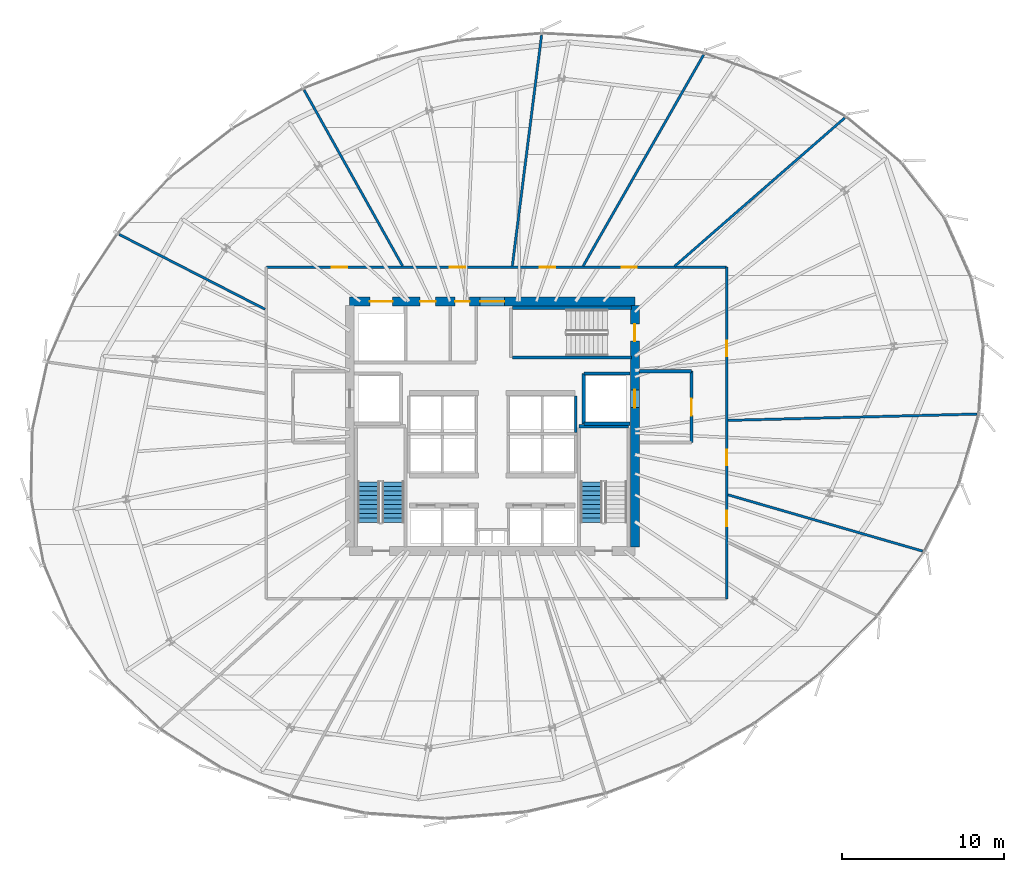
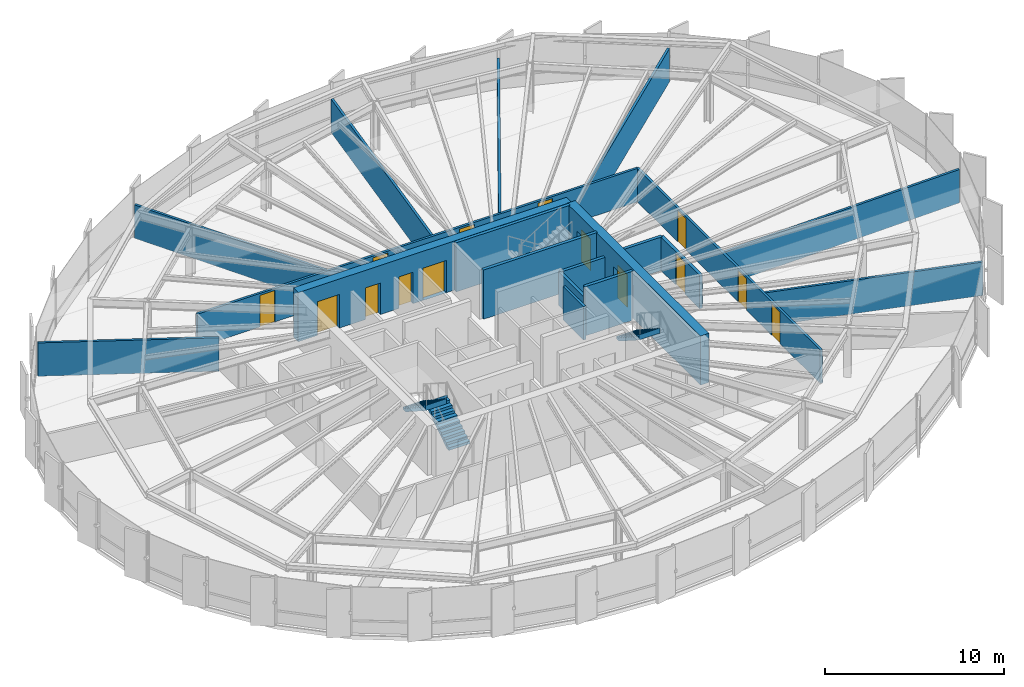
# One storey, part 30 of 35: 20 walls, 14 doors, 3 stair flights, 14 openings, 2 elements without a shape of their own.
"""IFC4 building model written with IfcOpenShell, lengths in metres."""

from ifc_helpers import new_model, si_unit, direction, frame, frame_2d, origin, place, context, subcontext, project, spatial, polyline, rectangle, outline, extrude, source, transform, mapped, material, layer, layer_set, type_object, element, fill, aggregate, save


model = new_model("IFC4")

# Units and contexts
model_context = context("Model", 3, precision=1e-05, world=origin(), true_north=direction((0.0, 1.0)))
body_context = subcontext(model_context, "Body", "Model", "MODEL_VIEW")
ifc_project = project(units=[si_unit("LENGTHUNIT", "METRE"), si_unit("AREAUNIT", "SQUARE_METRE"), si_unit("VOLUMEUNIT", "CUBIC_METRE"), si_unit("PLANEANGLEUNIT", "RADIAN"), si_unit("MASSUNIT", "GRAM", prefix="KILO"), si_unit("THERMODYNAMICTEMPERATUREUNIT", "KELVIN")], contexts=[model_context])

# Site, building, storey
site_placement = place(None, origin())
site = spatial("IfcSite", under=ifc_project, at=site_placement, CompositionType="ELEMENT")
building_placement = place(site_placement, origin())
building = spatial("IfcBuilding", under=site, at=building_placement, Name="Kethvar Cultural Tower", CompositionType="ELEMENT")
storey_placement = place(building_placement, frame((0.0, 0.0, 103.60009765625)))
storey = spatial("IfcBuildingStorey", under=building, at=storey_placement, Name="L25", CompositionType="ELEMENT", Elevation=103.60009765625)

# Wall, openings, doors
ifc_material_1 = material(Name="Concrete C60/75", Category="concrete")
ifc_layer_1 = layer(ifc_material_1, 0.550048828125, Name="Concrete C60/75", Category="concrete")
ifc_layer_set_1 = layer_set([ifc_layer_1], Name="Concrete C60/75 (550 mm)")
wall_type_1 = type_object("IfcWallType", Name="WL-CORE-550", PredefinedType="SHEAR", material=ifc_layer_set_1)
wall_1_placement = place(storey_placement, frame((55.60009765625, 35.5, 0.0), z_axis=(0.0, 0.0, 1.0), x_axis=(-1.0, 0.0, 0.0)))
wall_1 = element("IfcWall", 1, at=wall_1_placement, inside=storey, type_object=wall_type_1, Name="L25 Core Shear Wall N", PredefinedType="SHEAR", context=body_context, shape_type="SweptSolid", body=[
    extrude(rectangle(XDim=17.60009765625, YDim=0.550048828125, at=frame_2d((8.800048828125, 0.0))), origin(), (0.0, 0.0, 1.0), 3.349853515625),
])
opening_1_placement = place(wall_1_placement, frame((8.050048828125, 0.0, 0.0)))
opening_1 = element("IfcOpeningElement", 2, at=opening_1_placement, cuts=wall_1, Name="Opening D-L25-LN", PredefinedType="OPENING", context=body_context, shape_type="SweptSolid", body=[
    extrude(rectangle(XDim=1.5, YDim=2.199951171875, at=frame_2d((0.75, 1.10009765625))), frame((0.0, 0.284912109375, 0.0), z_axis=(0.0, -1.0, 0.0), x_axis=(1.0, 0.0, 0.0)), (0.0, 0.0, 1.0), 0.570068359375),
])
opening_2_placement = place(wall_1_placement, frame((14.949951171875, 0.0, 0.0)))
opening_2 = element("IfcOpeningElement", 3, at=opening_2_placement, cuts=wall_1, Name="Opening LD-G1", PredefinedType="OPENING", context=body_context, shape_type="SweptSolid", body=[
    extrude(rectangle(XDim=1.39990234375, YDim=2.300048828125, at=frame_2d((0.699951171875, 1.14990234375))), frame((0.0, 0.284912109375, 0.0), z_axis=(0.0, -1.0, 0.0), x_axis=(1.0, 0.0, 0.0)), (0.0, 0.0, 1.0), 0.570068359375),
])
opening_3_placement = place(wall_1_placement, frame((12.300048828125, 0.0, 0.0)))
opening_3 = element("IfcOpeningElement", 4, at=opening_3_placement, cuts=wall_1, Name="Opening D-L25-W1", PredefinedType="OPENING", context=body_context, shape_type="SweptSolid", body=[
    extrude(rectangle(XDim=0.949951171875, YDim=2.14990234375, at=frame_2d((0.47509765625, 1.074951171875))), frame((0.0, 0.284912109375, 0.0), z_axis=(0.0, -1.0, 0.0), x_axis=(1.0, 0.0, 0.0)), (0.0, 0.0, 1.0), 0.570068359375),
])
opening_4_placement = place(wall_1_placement, frame((10.199951171875, 0.0, 0.0)))
opening_4 = element("IfcOpeningElement", 5, at=opening_4_placement, cuts=wall_1, Name="Opening D-L25-W2", PredefinedType="OPENING", context=body_context, shape_type="SweptSolid", body=[
    extrude(rectangle(XDim=0.89990234375, YDim=2.14990234375, at=frame_2d((0.449951171875, 1.074951171875))), frame((0.0, 0.284912109375, 0.0), z_axis=(0.0, -1.0, 0.0), x_axis=(1.0, 0.0, 0.0)), (0.0, 0.0, 1.0), 0.570068359375),
])
ifc_material_2 = material(Name="Architectural Oak Timber", Category="wood")
door_type_1 = type_object("IfcDoorType", Name="DR-DBL-FD60-1500", OperationType="DOUBLE_DOOR_SINGLE_SWING", PredefinedType="DOOR", material=ifc_material_2)
shared_shape_1 = source(origin(), body_context, "Body", "SweptSolid", [
    extrude(rectangle(XDim=1.5, YDim=2.199951171875, at=frame_2d((0.75, 1.10009765625))), frame((0.0, 0.02490234375, 0.0), z_axis=(0.0, -1.0, 0.0), x_axis=(1.0, 0.0, 0.0)), (0.0, 0.0, 1.0), 0.050048828125),
])
door_1_placement = place(opening_1_placement, origin())
door_1 = element("IfcDoor", 6, at=door_1_placement, inside=storey, type_object=door_type_1, Name="L25 Lift Lobby Concourse Door", OperationType="DOUBLE_DOOR_SINGLE_SWING", OverallHeight=2.199951171875, OverallWidth=1.5, PredefinedType="DOOR", context=body_context, shape_type="MappedRepresentation", body=[
    mapped(shared_shape_1, transform((0.0, 0.0, 0.0), scale=1.0)),
])
fill(opening_1, door_1)
ifc_material_3 = material(Name="Steel S355J2", Category="steel")
door_type_2 = type_object("IfcDoorType", Name="DR-LIFT-SLIDE-1400", OperationType="NOTDEFINED", PredefinedType="DOOR", material=ifc_material_3)
shared_shape_2 = source(origin(), body_context, "Body", "SweptSolid", [
    extrude(rectangle(XDim=1.39990234375, YDim=2.300048828125, at=frame_2d((0.699951171875, 1.14990234375))), frame((0.0, 0.02490234375, 0.0), z_axis=(0.0, -1.0, 0.0), x_axis=(1.0, 0.0, 0.0)), (0.0, 0.0, 1.0), 0.050048828125),
])
door_2_placement = place(opening_2_placement, origin())
door_2 = element("IfcDoor", 7, at=door_2_placement, inside=storey, type_object=door_type_2, Name="L25 Goods Lift Landing Door", OperationType="SLIDING_TO_RIGHT", OverallHeight=2.300048828125, OverallWidth=1.39990234375, PredefinedType="DOOR", context=body_context, shape_type="MappedRepresentation", body=[
    mapped(shared_shape_2, transform((0.0, 0.0, 0.0), scale=1.0)),
])
fill(opening_2, door_2)
door_type_3 = type_object("IfcDoorType", Name="DR-FD30-950", OperationType="NOTDEFINED", PredefinedType="DOOR", material=ifc_material_2)
shared_shape_3 = source(origin(), body_context, "Body", "SweptSolid", [
    extrude(rectangle(XDim=0.949951171875, YDim=2.14990234375, at=frame_2d((0.47509765625, 1.074951171875))), frame((0.0, 0.02490234375, 0.0), z_axis=(0.0, -1.0, 0.0), x_axis=(1.0, 0.0, 0.0)), (0.0, 0.0, 1.0), 0.050048828125),
])
door_3_placement = place(opening_3_placement, origin())
door_3 = element("IfcDoor", 8, at=door_3_placement, inside=storey, type_object=door_type_3, Name="L25 Public Washroom Door", OperationType="SINGLE_SWING_LEFT", OverallHeight=2.14990234375, OverallWidth=0.949951171875, PredefinedType="DOOR", context=body_context, shape_type="MappedRepresentation", body=[
    mapped(shared_shape_3, transform((0.0, 0.0, 0.0), scale=1.0)),
])
fill(opening_3, door_3)
door_type_4 = type_object("IfcDoorType", Name="DR-FD30-900", OperationType="NOTDEFINED", PredefinedType="DOOR", material=ifc_material_2)
shared_shape_4 = source(origin(), body_context, "Body", "SweptSolid", [
    extrude(rectangle(XDim=0.89990234375, YDim=2.14990234375, at=frame_2d((0.449951171875, 1.074951171875))), frame((0.0, 0.02490234375, 0.0), z_axis=(0.0, -1.0, 0.0), x_axis=(1.0, 0.0, 0.0)), (0.0, 0.0, 1.0), 0.050048828125),
])
door_4_placement = place(opening_4_placement, origin())
door_4 = element("IfcDoor", 9, at=door_4_placement, inside=storey, type_object=door_type_4, Name="L25 Accessible Washroom Door", OperationType="SINGLE_SWING_RIGHT", OverallHeight=2.14990234375, OverallWidth=0.89990234375, PredefinedType="DOOR", context=body_context, shape_type="MappedRepresentation", body=[
    mapped(shared_shape_4, transform((0.0, 0.0, 0.0), scale=1.0)),
])
fill(opening_4, door_4)

wall_2_placement = place(storey_placement, frame((55.60009765625, 20.340087890625, 0.0), z_axis=(0.0, 0.0, 1.0), x_axis=(0.0, 1.0, 0.0)))
wall_2 = element("IfcWall", 10, at=wall_2_placement, inside=storey, type_object=wall_type_1, Name="L25 Core Shear Wall E", PredefinedType="SHEAR", context=body_context, shape_type="SweptSolid", body=[
    extrude(rectangle(XDim=14.919921875, YDim=0.550048828125, at=frame_2d((7.4599609375, 0.0))), origin(), (0.0, 0.0, 1.0), 3.349853515625),
])
opening_5_placement = place(wall_2_placement, frame((12.7099609375, 0.0, 0.0)))
opening_5 = element("IfcOpeningElement", 11, at=opening_5_placement, cuts=wall_2, Name="Opening D-L25-S3", PredefinedType="OPENING", context=body_context, shape_type="SweptSolid", body=[
    extrude(rectangle(XDim=1.050048828125, YDim=2.14990234375, at=frame_2d((0.52490234375, 1.074951171875))), frame((0.0, 0.284912109375, 0.0), z_axis=(0.0, -1.0, 0.0), x_axis=(1.0, 0.0, 0.0)), (0.0, 0.0, 1.0), 0.570068359375),
])
opening_6_placement = place(wall_2_placement, frame((8.610107421875, 0.0, 0.0)))
opening_6 = element("IfcOpeningElement", 12, at=opening_6_placement, cuts=wall_2, Name="Opening LD-2", PredefinedType="OPENING", context=body_context, shape_type="SweptSolid", body=[
    extrude(rectangle(XDim=1.10009765625, YDim=2.199951171875, at=frame_2d((0.550048828125, 1.10009765625))), frame((0.0, 0.284912109375, 0.0), z_axis=(0.0, -1.0, 0.0), x_axis=(1.0, 0.0, 0.0)), (0.0, 0.0, 1.0), 0.570068359375),
])
door_type_5 = type_object("IfcDoorType", Name="DR-FD60-1050", OperationType="NOTDEFINED", PredefinedType="DOOR", material=ifc_material_3)
shared_shape_5 = source(origin(), body_context, "Body", "SweptSolid", [
    extrude(rectangle(XDim=1.050048828125, YDim=2.14990234375, at=frame_2d((0.52490234375, 1.074951171875))), frame((0.0, 0.02490234375, 0.0), z_axis=(0.0, -1.0, 0.0), x_axis=(1.0, 0.0, 0.0)), (0.0, 0.0, 1.0), 0.050048828125),
])
door_5_placement = place(opening_5_placement, origin())
door_5 = element("IfcDoor", 13, at=door_5_placement, inside=storey, type_object=door_type_5, Name="L25 Exit Stair 3 Door", OperationType="SINGLE_SWING_LEFT", OverallHeight=2.14990234375, OverallWidth=1.050048828125, PredefinedType="DOOR", context=body_context, shape_type="MappedRepresentation", body=[
    mapped(shared_shape_5, transform((0.0, 0.0, 0.0), scale=1.0)),
])
fill(opening_5, door_5)
door_type_6 = type_object("IfcDoorType", Name="DR-LIFT-SLIDE-1100", OperationType="NOTDEFINED", PredefinedType="DOOR", material=ifc_material_3)
shared_shape_6 = source(origin(), body_context, "Body", "SweptSolid", [
    extrude(rectangle(XDim=1.10009765625, YDim=2.199951171875, at=frame_2d((0.550048828125, 1.10009765625))), frame((0.0, 0.02490234375, 0.0), z_axis=(0.0, -1.0, 0.0), x_axis=(1.0, 0.0, 0.0)), (0.0, 0.0, 1.0), 0.050048828125),
])
door_6_placement = place(opening_6_placement, origin())
door_6 = element("IfcDoor", 14, at=door_6_placement, inside=storey, type_object=door_type_6, Name="L25 Firefighting Lift Landing Door FFL-02", OperationType="SLIDING_TO_RIGHT", OverallHeight=2.199951171875, OverallWidth=1.10009765625, PredefinedType="DOOR", context=body_context, shape_type="MappedRepresentation", body=[
    mapped(shared_shape_6, transform((0.0, 0.0, 0.0), scale=1.0)),
])
fill(opening_6, door_6)

# Wall
ifc_material_4 = material(Name="Gypsum Fireboard Partition")
ifc_layer_2 = layer(ifc_material_4, 0.14990234375, Name="Gypsum Fireboard Partition")
ifc_layer_set_2 = layer_set([ifc_layer_2], Name="Gypsum Fireboard Partition (150 mm)")
wall_type_2 = type_object("IfcWallType", Name="WL-FIRE-150", PredefinedType="PARTITIONING", material=ifc_layer_set_2)
wall_3_placement = place(storey_placement, frame((51.949951171875, 27.409912109375, 0.0), z_axis=(0.0, 0.0, 1.0), x_axis=(0.0, 1.0, 0.0)))
element("IfcWall", 15, at=wall_3_placement, inside=storey, type_object=wall_type_2, Name="L25 High-Rise Lift Shaft Outer Wall E", PredefinedType="PARTITIONING", context=body_context, shape_type="SweptSolid", body=[
    extrude(rectangle(XDim=2.27001953125, YDim=0.14990234375, at=frame_2d((1.135009765625, 0.0))), origin(), (0.0, 0.0, 1.0), 2.27978515625),
])

# Wall, openings, doors
wall_4_placement = place(storey_placement, frame((61.27001953125, 17.139892578125, 0.0), z_axis=(0.0, 0.0, 1.0), x_axis=(0.0, 1.0, 0.0)))
wall_4 = element("IfcWall", 16, at=wall_4_placement, inside=storey, type_object=wall_type_2, Name="L25 Corridor Rated Wall E", PredefinedType="PARTITIONING", context=body_context, shape_type="SweptSolid", body=[
    extrude(rectangle(XDim=20.480224609375, YDim=0.14990234375, at=frame_2d((10.240234375, 0.0))), origin(), (0.0, 0.0, 1.0), 2.27978515625),
])
opening_7_placement = place(wall_4_placement, frame((4.497802734375, 0.0, 0.0)))
opening_7 = element("IfcOpeningElement", 17, at=opening_7_placement, cuts=wall_4, Name="Opening D-L25-04", PredefinedType="OPENING", context=body_context, shape_type="SweptSolid", body=[
    extrude(rectangle(XDim=0.949951171875, YDim=2.14990234375, at=frame_2d((0.47509765625, 1.074951171875))), frame((0.0, 0.0849609375, 0.0), z_axis=(0.0, -1.0, 0.0), x_axis=(1.0, 0.0, 0.0)), (0.0, 0.0, 1.0), 0.169921875),
])
opening_8_placement = place(wall_4_placement, frame((8.252685546875, 0.0, 0.0)))
opening_8 = element("IfcOpeningElement", 18, at=opening_8_placement, cuts=wall_4, Name="Opening D-L25-05", PredefinedType="OPENING", context=body_context, shape_type="SweptSolid", body=[
    extrude(rectangle(XDim=0.949951171875, YDim=2.14990234375, at=frame_2d((0.47509765625, 1.074951171875))), frame((0.0, 0.0849609375, 0.0), z_axis=(0.0, -1.0, 0.0), x_axis=(1.0, 0.0, 0.0)), (0.0, 0.0, 1.0), 0.169921875),
])
opening_9_placement = place(wall_4_placement, frame((14.984130859375, 0.0, 0.0)))
opening_9 = element("IfcOpeningElement", 19, at=opening_9_placement, cuts=wall_4, Name="Opening D-L25-06", PredefinedType="OPENING", context=body_context, shape_type="SweptSolid", body=[
    extrude(rectangle(XDim=0.949951171875, YDim=2.14990234375, at=frame_2d((0.47509765625, 1.074951171875))), frame((0.0, 0.0849609375, 0.0), z_axis=(0.0, -1.0, 0.0), x_axis=(1.0, 0.0, 0.0)), (0.0, 0.0, 1.0), 0.169921875),
])
door_7_placement = place(opening_7_placement, origin())
door_7 = element("IfcDoor", 20, at=door_7_placement, inside=storey, type_object=door_type_3, Name="L25 Curatorial Conference Room 04 Door", OperationType="SINGLE_SWING_LEFT", OverallHeight=2.14990234375, OverallWidth=0.949951171875, PredefinedType="DOOR", context=body_context, shape_type="MappedRepresentation", body=[
    mapped(shared_shape_3, transform((0.0, 0.0, 0.0), scale=1.0)),
])
fill(opening_7, door_7)
door_8_placement = place(opening_8_placement, origin())
door_8 = element("IfcDoor", 21, at=door_8_placement, inside=storey, type_object=door_type_3, Name="L25 Colloquium Seminar Room 05 Door", OperationType="SINGLE_SWING_RIGHT", OverallHeight=2.14990234375, OverallWidth=0.949951171875, PredefinedType="DOOR", context=body_context, shape_type="MappedRepresentation", body=[
    mapped(shared_shape_3, transform((0.0, 0.0, 0.0), scale=1.0)),
])
fill(opening_8, door_8)
door_9_placement = place(opening_9_placement, origin())
door_9 = element("IfcDoor", 22, at=door_9_placement, inside=storey, type_object=door_type_3, Name="L25 Panoramic Reading Lounge 06 Door", OperationType="SINGLE_SWING_LEFT", OverallHeight=2.14990234375, OverallWidth=0.949951171875, PredefinedType="DOOR", context=body_context, shape_type="MappedRepresentation", body=[
    mapped(shared_shape_3, transform((0.0, 0.0, 0.0), scale=1.0)),
])
fill(opening_9, door_9)

wall_5_placement = place(storey_placement, frame((61.27001953125, 37.6201171875, 0.0), z_axis=(0.0, 0.0, 1.0), x_axis=(-1.0, 0.0, 0.0)))
wall_5 = element("IfcWall", 23, at=wall_5_placement, inside=storey, type_object=wall_type_2, Name="L25 Corridor Rated Wall N", PredefinedType="PARTITIONING", context=body_context, shape_type="SweptSolid", body=[
    extrude(rectangle(XDim=28.419921875, YDim=0.14990234375, at=frame_2d((14.2099609375, 0.0))), origin(), (0.0, 0.0, 1.0), 2.27978515625),
])
opening_10_placement = place(wall_5_placement, frame((5.5390625, 0.0, 0.0)))
opening_10 = element("IfcOpeningElement", 24, at=opening_10_placement, cuts=wall_5, Name="Opening D-L25-07", PredefinedType="OPENING", context=body_context, shape_type="SweptSolid", body=[
    extrude(rectangle(XDim=0.949951171875, YDim=2.14990234375, at=frame_2d((0.47509765625, 1.074951171875))), frame((0.0, 0.0849609375, 0.0), z_axis=(0.0, -1.0, 0.0), x_axis=(1.0, 0.0, 0.0)), (0.0, 0.0, 1.0), 0.169921875),
])
opening_11_placement = place(wall_5_placement, frame((10.57421875, 0.0, 0.0)))
opening_11 = element("IfcOpeningElement", 25, at=opening_11_placement, cuts=wall_5, Name="Opening D-L25-08", PredefinedType="OPENING", context=body_context, shape_type="SweptSolid", body=[
    extrude(rectangle(XDim=0.949951171875, YDim=2.14990234375, at=frame_2d((0.47509765625, 1.074951171875))), frame((0.0, 0.0849609375, 0.0), z_axis=(0.0, -1.0, 0.0), x_axis=(1.0, 0.0, 0.0)), (0.0, 0.0, 1.0), 0.169921875),
])
opening_12_placement = place(wall_5_placement, frame((16.1484375, 0.0, 0.0)))
opening_12 = element("IfcOpeningElement", 26, at=opening_12_placement, cuts=wall_5, Name="Opening D-L25-09", PredefinedType="OPENING", context=body_context, shape_type="SweptSolid", body=[
    extrude(rectangle(XDim=0.949951171875, YDim=2.14990234375, at=frame_2d((0.47509765625, 1.074951171875))), frame((0.0, 0.0849609375, 0.0), z_axis=(0.0, -1.0, 0.0), x_axis=(1.0, 0.0, 0.0)), (0.0, 0.0, 1.0), 0.169921875),
])
opening_13_placement = place(wall_5_placement, frame((23.4287109375, 0.0, 0.0)))
opening_13 = element("IfcOpeningElement", 27, at=opening_13_placement, cuts=wall_5, Name="Opening D-L25-10", PredefinedType="OPENING", context=body_context, shape_type="SweptSolid", body=[
    extrude(rectangle(XDim=0.949951171875, YDim=2.14990234375, at=frame_2d((0.47509765625, 1.074951171875))), frame((0.0, 0.0849609375, 0.0), z_axis=(0.0, -1.0, 0.0), x_axis=(1.0, 0.0, 0.0)), (0.0, 0.0, 1.0), 0.169921875),
])
door_10_placement = place(opening_10_placement, origin())
door_10 = element("IfcDoor", 28, at=door_10_placement, inside=storey, type_object=door_type_3, Name="L25 Cultural Periodicals Kiosk 07 Door", OperationType="SINGLE_SWING_RIGHT", OverallHeight=2.14990234375, OverallWidth=0.949951171875, PredefinedType="DOOR", context=body_context, shape_type="MappedRepresentation", body=[
    mapped(shared_shape_3, transform((0.0, 0.0, 0.0), scale=1.0)),
])
fill(opening_10, door_10)
door_11_placement = place(opening_11_placement, origin())
door_11 = element("IfcDoor", 29, at=door_11_placement, inside=storey, type_object=door_type_3, Name="L25 Founders' Reception 08 Door", OperationType="SINGLE_SWING_LEFT", OverallHeight=2.14990234375, OverallWidth=0.949951171875, PredefinedType="DOOR", context=body_context, shape_type="MappedRepresentation", body=[
    mapped(shared_shape_3, transform((0.0, 0.0, 0.0), scale=1.0)),
])
fill(opening_11, door_11)
door_12_placement = place(opening_12_placement, origin())
door_12 = element("IfcDoor", 30, at=door_12_placement, inside=storey, type_object=door_type_3, Name="L25 Scholars' Servery Pantry 09 Door", OperationType="SINGLE_SWING_RIGHT", OverallHeight=2.14990234375, OverallWidth=0.949951171875, PredefinedType="DOOR", context=body_context, shape_type="MappedRepresentation", body=[
    mapped(shared_shape_3, transform((0.0, 0.0, 0.0), scale=1.0)),
])
fill(opening_12, door_12)
door_13_placement = place(opening_13_placement, origin())
door_13 = element("IfcDoor", 31, at=door_13_placement, inside=storey, type_object=door_type_3, Name="L25 Manuscript Archive Store 10 Door", OperationType="SINGLE_SWING_LEFT", OverallHeight=2.14990234375, OverallWidth=0.949951171875, PredefinedType="DOOR", context=body_context, shape_type="MappedRepresentation", body=[
    mapped(shared_shape_3, transform((0.0, 0.0, 0.0), scale=1.0)),
])
fill(opening_13, door_13)

# Walls
ifc_material_5 = material(Name="Concrete C40/50", Category="concrete")
ifc_layer_3 = layer(ifc_material_5, 0.199951171875, Name="Concrete C40/50", Category="concrete")
ifc_layer_set_3 = layer_set([ifc_layer_3], Name="Concrete C40/50 (200 mm)")
wall_type_3 = type_object("IfcWallType", Name="WL-FIRE-200", PredefinedType="PARTITIONING", material=ifc_layer_set_3)
wall_6_placement = place(storey_placement, frame((52.449951171875, 27.949951171875, 0.0), z_axis=(0.0, 0.0, 1.0), x_axis=(0.0, 1.0, 0.0)))
element("IfcWall", 32, at=wall_6_placement, inside=storey, type_object=wall_type_3, Name="L25 FFL-02 Shaft Inner Wall", PredefinedType="PARTITIONING", context=body_context, shape_type="SweptSolid", body=[
    extrude(rectangle(XDim=3.10009765625, YDim=0.199951171875, at=frame_2d((1.550048828125, 0.0))), origin(), (0.0, 0.0, 1.0), 2.27978515625),
])
for number, where, z_axis, x_axis, name in (
    (33, (52.449951171875, 27.949951171875, 0.0), (0.0, 0.0, 1.0), (1.0, 0.0, 0.0), "L25 FFL-02 Shaft South Wall"),
    (34, (52.449951171875, 31.050048828125, 0.0), (0.0, 0.0, 1.0), (1.0, 0.0, 0.0), "L25 FFL-02 Shaft North Wall"),
):
    element("IfcWall", number, at=place(storey_placement, frame(where, z_axis=z_axis, x_axis=x_axis)), inside=storey, type_object=wall_type_3, Name=name, PredefinedType="PARTITIONING", context=body_context, shape_type="SweptSolid", body=[
        extrude(rectangle(XDim=2.864990234375, YDim=0.199951171875, at=frame_2d((1.4326171875, 0.0))), origin(), (0.0, 0.0, 1.0), 2.27978515625),
    ])

# Wall, opening, door
wall_7_placement = place(storey_placement, frame((59.10009765625, 26.800048828125, 0.0), z_axis=(0.0, 0.0, 1.0), x_axis=(0.0, 1.0, 0.0)))
wall_7 = element("IfcWall", 35, at=wall_7_placement, inside=storey, type_object=wall_type_3, Name="L25 Firefighting Lobby 2 Wall", PredefinedType="PARTITIONING", context=body_context, shape_type="SweptSolid", body=[
    extrude(rectangle(XDim=4.39990234375, YDim=0.199951171875, at=frame_2d((2.199951171875, 0.0))), origin(), (0.0, 0.0, 1.0), 2.27978515625),
])
opening_14_placement = place(wall_7_placement, frame((1.64990234375, 0.0, 0.0)))
opening_14 = element("IfcOpeningElement", 36, at=opening_14_placement, cuts=wall_7, Name="Opening D-L25-F2", PredefinedType="OPENING", context=body_context, shape_type="SweptSolid", body=[
    extrude(rectangle(XDim=1.050048828125, YDim=2.14990234375, at=frame_2d((0.52490234375, 1.074951171875))), frame((0.0, 0.10986328125, 0.0), z_axis=(0.0, -1.0, 0.0), x_axis=(1.0, 0.0, 0.0)), (0.0, 0.0, 1.0), 0.219970703125),
])
door_14_placement = place(opening_14_placement, origin())
door_14 = element("IfcDoor", 37, at=door_14_placement, inside=storey, type_object=door_type_5, Name="L25 Firefighting Lobby 2 Fire Door", OperationType="SINGLE_SWING_LEFT", OverallHeight=2.14990234375, OverallWidth=1.050048828125, PredefinedType="DOOR", context=body_context, shape_type="MappedRepresentation", body=[
    mapped(shared_shape_5, transform((0.0, 0.0, 0.0), scale=1.0)),
])
fill(opening_14, door_14)

# Walls
wall_8_placement = place(storey_placement, frame((55.885009765625, 31.199951171875, 0.0), z_axis=(0.0, 0.0, 1.0), x_axis=(1.0, 0.0, 0.0)))
element("IfcWall", 38, at=wall_8_placement, inside=storey, type_object=wall_type_3, Name="L25 FF Lobby 2 North Wall", PredefinedType="PARTITIONING", context=body_context, shape_type="SweptSolid", body=[
    extrude(rectangle(XDim=3.215087890625, YDim=0.199951171875, at=frame_2d((1.607421875, 0.0))), origin(), (0.0, 0.0, 1.0), 2.27978515625),
])
ifc_material_6 = material(Name="Gypsum Acoustic Partition")
ifc_layer_4 = layer(ifc_material_6, 0.14990234375, Name="Gypsum Acoustic Partition")
ifc_layer_set_4 = layer_set([ifc_layer_4], Name="Gypsum Acoustic Partition (150 mm)")
wall_type_4 = type_object("IfcWallType", Name="WL-PART-150", PredefinedType="PARTITIONING", material=ifc_layer_set_4)
wall_9_placement = place(storey_placement, frame((61.346923828125, 23.566650390625, 0.0), z_axis=(0.0, 0.0, 1.0), x_axis=(0.960628313882, -0.277836719259, 0.0)))
element("IfcWall", 39, at=wall_9_placement, inside=storey, type_object=wall_type_4, Name="L25 Radial Partition Wall 05", PredefinedType="PARTITIONING", context=body_context, shape_type="SweptSolid", body=[
    extrude(rectangle(XDim=12.5068359375, YDim=0.14990234375, at=frame_2d((6.25341796875, 0.0))), origin(), (0.0, 0.0, 1.0), 2.27978515625),
])
wall_10_placement = place(storey_placement, frame((61.35009765625, 28.159912109375, 0.0), z_axis=(0.0, 0.0, 1.0), x_axis=(0.999677848487, 0.025381080424, 0.0)))
element("IfcWall", 40, at=wall_10_placement, inside=storey, type_object=wall_type_4, Name="L25 Radial Partition Wall 06", PredefinedType="PARTITIONING", context=body_context, shape_type="SweptSolid", body=[
    extrude(rectangle(XDim=15.37109375, YDim=0.14990234375, at=frame_2d((7.685546875, 0.0))), origin(), (0.0, 0.0, 1.0), 2.27978515625),
])
wall_11_placement = place(storey_placement, frame((58.056884765625, 37.672607421875, 0.0), z_axis=(0.0, 0.0, 1.0), x_axis=(0.753623554102, 0.657306274656, 0.0)))
element("IfcWall", 41, at=wall_11_placement, inside=storey, type_object=wall_type_4, Name="L25 Radial Partition Wall 07", PredefinedType="PARTITIONING", context=body_context, shape_type="SweptSolid", body=[
    extrude(rectangle(XDim=13.928466796875, YDim=0.14990234375, at=frame_2d((6.96435546875, 0.0))), origin(), (0.0, 0.0, 1.0), 2.27978515625),
])
wall_12_placement = place(storey_placement, frame((52.41015625, 37.689453125, 0.0), z_axis=(0.0, 0.0, 1.0), x_axis=(0.495503023784, 0.868606213091, 0.0)))
element("IfcWall", 42, at=wall_12_placement, inside=storey, type_object=wall_type_4, Name="L25 Radial Partition Wall 08", PredefinedType="PARTITIONING", context=body_context, shape_type="SweptSolid", body=[
    extrude(rectangle(XDim=15.011474609375, YDim=0.14990234375, at=frame_2d((7.505859375, 0.0))), origin(), (0.0, 0.0, 1.0), 2.27978515625),
])
wall_13_placement = place(storey_placement, frame((48.038818359375, 37.699462890625, 0.0), z_axis=(0.0, 0.0, 1.0), x_axis=(0.125809182471, 0.992054458992, 0.0)))
element("IfcWall", 43, at=wall_13_placement, inside=storey, type_object=wall_type_4, Name="L25 Radial Partition Wall 09", PredefinedType="PARTITIONING", context=body_context, shape_type="SweptSolid", body=[
    extrude(rectangle(XDim=14.358154296875, YDim=0.14990234375, at=frame_2d((7.17919921875, 0.0))), origin(), (0.0, 0.0, 1.0), 2.27978515625),
])
wall_14_placement = place(storey_placement, frame((41.263916015625, 37.689697265625, 0.0), z_axis=(0.0, 0.0, 1.0), x_axis=(-0.488413419201, 0.872612360642, 0.0)))
element("IfcWall", 44, at=wall_14_placement, inside=storey, type_object=wall_type_4, Name="L25 Radial Partition Wall 10", PredefinedType="PARTITIONING", context=body_context, shape_type="SweptSolid", body=[
    extrude(rectangle(XDim=12.446533203125, YDim=0.14990234375, at=frame_2d((6.22314453125, 0.0))), origin(), (0.0, 0.0, 1.0), 2.27978515625),
])
wall_15_placement = place(storey_placement, frame((32.77880859375, 35.015869140625, 0.0), z_axis=(0.0, 0.0, 1.0), x_axis=(-0.889722087062, 0.456502582461, 0.0)))
element("IfcWall", 45, at=wall_15_placement, inside=storey, type_object=wall_type_4, Name="L25 Radial Partition Wall 11", PredefinedType="PARTITIONING", context=body_context, shape_type="SweptSolid", body=[
    extrude(rectangle(XDim=10.129150390625, YDim=0.14990234375, at=frame_2d((5.064453125, 0.0))), origin(), (0.0, 0.0, 1.0), 2.27978515625),
])
ifc_material_7 = material(Name="Concrete C50/60", Category="concrete")
ifc_layer_5 = layer(ifc_material_7, 0.199951171875, Name="Concrete C50/60", Category="concrete")
ifc_layer_set_5 = layer_set([ifc_layer_5], Name="Concrete C50/60 (200 mm)")
wall_type_5 = type_object("IfcWallType", Name="WL-STSHAFT-200", PredefinedType="SHEAR", material=ifc_layer_set_5)
wall_16_placement = place(storey_placement, frame((52.14990234375, 27.800048828125, 0.0), z_axis=(0.0, 0.0, 1.0), x_axis=(1.0, 0.0, 0.0)))
element("IfcWall", 46, at=wall_16_placement, inside=storey, type_object=wall_type_5, Name="L25 ST-02 Stair Shaft Wall FAR", PredefinedType="SHEAR", context=body_context, shape_type="SweptSolid", body=[
    extrude(rectangle(XDim=3.06005859375, YDim=0.199951171875, at=frame_2d((1.530029296875, 0.0))), origin(), (0.0, 0.0, 1.0), 3.349853515625),
])
for number, where, z_axis, x_axis, name in (
    (47, (48.050048828125, 35.110107421875, 0.0), (0.0, 0.0, 1.0), (1.0, 0.0, 0.0), "L25 ST-03 Stair Shaft Wall LEFT"),
    (48, (55.39990234375, 32.050048828125, 0.0), (0.0, 0.0, 1.0), (-1.0, 0.0, 0.0), "L25 ST-03 Stair Shaft Wall RIGHT"),
):
    element("IfcWall", number, at=place(storey_placement, frame(where, z_axis=z_axis, x_axis=x_axis)), inside=storey, type_object=wall_type_5, Name=name, PredefinedType="SHEAR", context=body_context, shape_type="SweptSolid", body=[
        extrude(rectangle(XDim=7.349853515625, YDim=0.199951171875, at=frame_2d((3.6748046875, 0.0))), origin(), (0.0, 0.0, 1.0), 3.349853515625),
    ])

# Stair, stair flights
stair_type = type_object("IfcStairType", Name="ST-DOGLEG-135", PredefinedType="HALF_TURN_STAIR", material=ifc_material_5)
stair_1_placement = place(storey_placement, origin())
stair_1 = element("IfcStair", 49, at=stair_1_placement, inside=storey, type_object=stair_type, Name="L25 Core Exit Stair 1", PredefinedType="HALF_TURN_STAIR")
stair_flight_type = type_object("IfcStairFlightType", Name="FL-STRAIGHT-135", PredefinedType="STRAIGHT", material=ifc_material_5)
stair_flight_1_placement = place(storey_placement, frame((40.675048828125, 21.85009765625, 0.0), z_axis=(0.0, 0.0, 1.0), x_axis=(0.0, 1.0, 0.0)))
stair_flight_1 = element("IfcStairFlight", 50, at=stair_flight_1_placement, type_object=stair_flight_type, Name="ST-01 flight 1", NumberOfRisers=10, NumberOfTreads=9, PredefinedType="STRAIGHT", RiserHeight=0.18, TreadLength=0.28, context=body_context, shape_type="SweptSolid", body=[
    extrude(outline(polyline([(-0.0009765625, -0.0009765625), (-0.0009765625, 0.179931640625), (0.280029296875, 0.179931640625), (0.280029296875, 0.360107421875), (0.56005859375, 0.360107421875), (0.56005859375, 0.5400390625), (0.840087890625, 0.5400390625), (0.840087890625, 0.719970703125), (1.1201171875, 0.719970703125), (1.1201171875, 0.89990234375), (1.39990234375, 0.89990234375), (1.39990234375, 1.080078125), (1.679931640625, 1.080078125), (1.679931640625, 1.260009765625), (1.9599609375, 1.260009765625), (1.9599609375, 1.43994140625), (2.239990234375, 1.43994140625), (2.239990234375, 1.6201171875), (2.52001953125, 1.6201171875), (2.52001953125, 1.800048828125), (2.52099609375, 1.800048828125), (2.52099609375, 1.44189453125), (0.277099609375, 0.0), (0.0, -0.0009765625), (-0.0009765625, -0.0009765625)])), frame((0.0, 0.675048828125, 0.0), z_axis=(0.0, -1.0, 0.0), x_axis=(1.0, 0.0, 0.0)), (0.0, 0.0, 1.0), 1.35009765625),
])
stair_flight_2_placement = place(storey_placement, frame((39.1650390625, 24.3701171875, 1.7998046875), z_axis=(0.0, 0.0, 1.0), x_axis=(0.0, -1.0, 0.0)))
stair_flight_2 = element("IfcStairFlight", 51, at=stair_flight_2_placement, type_object=stair_flight_type, Name="ST-01 flight 2", NumberOfRisers=10, NumberOfTreads=9, PredefinedType="STRAIGHT", RiserHeight=0.18, TreadLength=0.28, context=body_context, shape_type="SweptSolid", body=[
    extrude(outline(polyline([(-0.0009765625, -0.0009765625), (-0.0009765625, 0.179931640625), (0.280029296875, 0.179931640625), (0.280029296875, 0.360107421875), (0.56005859375, 0.360107421875), (0.56005859375, 0.5400390625), (0.840087890625, 0.5400390625), (0.840087890625, 0.719970703125), (1.1201171875, 0.719970703125), (1.1201171875, 0.89990234375), (1.39990234375, 0.89990234375), (1.39990234375, 1.080078125), (1.679931640625, 1.080078125), (1.679931640625, 1.260009765625), (1.9599609375, 1.260009765625), (1.9599609375, 1.43994140625), (2.239990234375, 1.43994140625), (2.239990234375, 1.6201171875), (2.52001953125, 1.6201171875), (2.52001953125, 1.800048828125), (2.52099609375, 1.800048828125), (2.52099609375, 1.44189453125), (0.277099609375, 0.0), (0.0, -0.0009765625), (-0.0009765625, -0.0009765625)])), frame((0.0, 0.675048828125, 0.0), z_axis=(0.0, -1.0, 0.0), x_axis=(1.0, 0.0, 0.0)), (0.0, 0.0, 1.0), 1.35009765625),
])
aggregate(stair_1, [stair_flight_1, stair_flight_2])

# Stair, stair flight
stair_2_placement = place(storey_placement, origin())
stair_2 = element("IfcStair", 52, at=stair_2_placement, inside=storey, type_object=stair_type, Name="L25 Core Exit Stair 2", PredefinedType="HALF_TURN_STAIR")
stair_flight_3_placement = place(storey_placement, frame((52.925048828125, 24.3701171875, 1.7998046875), z_axis=(0.0, 0.0, 1.0), x_axis=(0.0, -1.0, 0.0)))
stair_flight_3 = element("IfcStairFlight", 53, at=stair_flight_3_placement, type_object=stair_flight_type, Name="ST-02 flight 2", NumberOfRisers=10, NumberOfTreads=9, PredefinedType="STRAIGHT", RiserHeight=0.18, TreadLength=0.28, context=body_context, shape_type="SweptSolid", body=[
    extrude(outline(polyline([(-0.0009765625, -0.0009765625), (-0.0009765625, 0.179931640625), (0.280029296875, 0.179931640625), (0.280029296875, 0.360107421875), (0.56005859375, 0.360107421875), (0.56005859375, 0.5400390625), (0.840087890625, 0.5400390625), (0.840087890625, 0.719970703125), (1.1201171875, 0.719970703125), (1.1201171875, 0.89990234375), (1.39990234375, 0.89990234375), (1.39990234375, 1.080078125), (1.679931640625, 1.080078125), (1.679931640625, 1.260009765625), (1.9599609375, 1.260009765625), (1.9599609375, 1.43994140625), (2.239990234375, 1.43994140625), (2.239990234375, 1.6201171875), (2.52001953125, 1.6201171875), (2.52001953125, 1.800048828125), (2.52099609375, 1.800048828125), (2.52099609375, 1.44189453125), (0.277099609375, 0.0), (0.0, -0.0009765625), (-0.0009765625, -0.0009765625)])), frame((0.0, 0.675048828125, 0.0), z_axis=(0.0, -1.0, 0.0), x_axis=(1.0, 0.0, 0.0)), (0.0, 0.0, 1.0), 1.35009765625),
])
aggregate(stair_2, [stair_flight_3])

save(model, "model.ifc")
